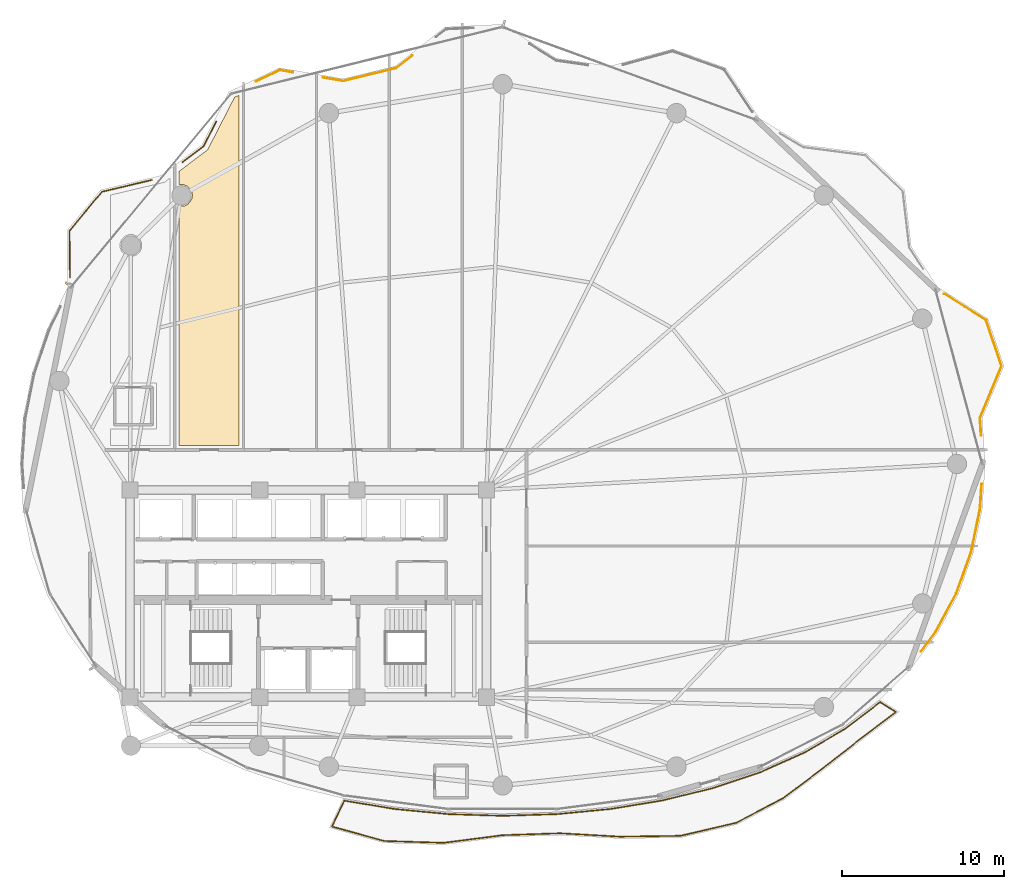
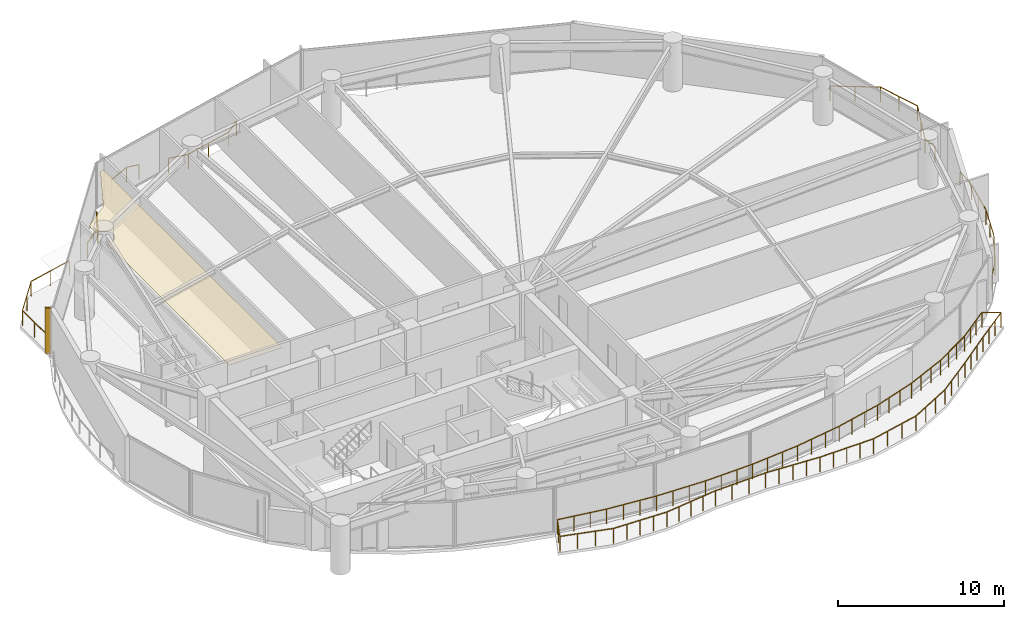
# One storey, part 27 of 28: 7 railings, 1 covering, 1 shading device.
"""IFC4 building model written with IfcOpenShell, lengths in metres."""

import ifcopenshell
import ifcopenshell.guid

model = None  # the IFC model being written
_history = None  # IfcOwnerHistory: only IFC2X3 demands one
_inside = {}  # id of a spatial element -> (the spatial element, [elements in it])
_under = {}  # id of a project, library or spatial element -> (it, [spatial elements below it])
_declared = {}  # id of a project -> (the project, [libraries it declares])
_typed = {}  # id of a type object -> (the type object, [elements of that type])
_made_of = {}  # id of a material, layer set ... -> (it, [elements and type objects made of it])


def new_model(schema):
    """Start an empty IFC model of exactly this schema.

    Asked for "IFC4X3", IfcOpenShell would pick the latest addendum, in which some entities
    have other attributes; the version numbers below select the first issue.
    IFC2X3 requires an IfcOwnerHistory on every rooted entity: one is made here for all.
    """
    global model, _history
    if schema == "IFC4X3":
        model = ifcopenshell.file(schema_version=(4, 3, 0, 0))
    else:
        model = ifcopenshell.file(schema=schema)
    _inside.clear()
    _under.clear()
    _declared.clear()
    _typed.clear()
    _made_of.clear()
    _history = None
    if model.schema == "IFC2X3":
        org = make("IfcOrganization", Name="unknown")
        user = make(
            "IfcPersonAndOrganization",
            ThePerson=make("IfcPerson", FamilyName="unknown"),
            TheOrganization=org,
        )
        app = make(
            "IfcApplication",
            ApplicationDeveloper=org,
            Version="unknown",
            ApplicationFullName="unknown",
            ApplicationIdentifier="unknown",
        )
        _history = make(
            "IfcOwnerHistory",
            OwningUser=user,
            OwningApplication=app,
            ChangeAction="ADDED",
            CreationDate=0,
        )
    return model


def make(cls, **values):
    """One entity of the class cls with the attributes given. An attribute that is None is left unset."""
    return model.create_entity(
        cls, **{name: value for name, value in values.items() if value is not None}
    )


def rooted(cls, **values):
    """An entity with a GlobalId (a new one), such as an element, a storey or a relation."""
    return make(cls, GlobalId=ifcopenshell.guid.new(), OwnerHistory=_history, **values)


def si_unit(unit_type, name, prefix=None):
    """IfcSIUnit, for example si_unit("LENGTHUNIT", "METRE", prefix="MILLI")."""
    return make("IfcSIUnit", UnitType=unit_type, Prefix=prefix, Name=name)


def assignment(units):
    """IfcUnitAssignment: the units of a project."""
    return None if units is None else make("IfcUnitAssignment", Units=units)


def point(xyz):
    """IfcCartesianPoint."""
    return None if xyz is None else make("IfcCartesianPoint", Coordinates=xyz)


def direction(xyz):
    """IfcDirection."""
    return None if xyz is None else make("IfcDirection", DirectionRatios=xyz)


def frame(location, z_axis=None, x_axis=None):
    """IfcAxis2Placement3D, a coordinate frame: its origin and axes. An axis left out is left unset."""
    return make(
        "IfcAxis2Placement3D",
        Location=point(location),
        Axis=direction(z_axis),
        RefDirection=direction(x_axis),
    )


def frame_2d(location, x_axis=None):
    """IfcAxis2Placement2D, a coordinate frame in the plane: its origin and x axis."""
    return make(
        "IfcAxis2Placement2D", Location=point(location), RefDirection=direction(x_axis)
    )


def origin():
    """The frame at (0, 0, 0) with its axes left unset."""
    return frame((0.0, 0.0, 0.0))


def origin_2d():
    """The frame at (0, 0) in the plane with its x axis left unset."""
    return frame_2d((0.0, 0.0))


def place(relative_to, where):
    """IfcLocalPlacement: puts the frame where relative to a parent placement (None: the world)."""
    return make(
        "IfcLocalPlacement", PlacementRelTo=relative_to, RelativePlacement=where
    )


def context(
    kind, dimensions, precision=None, world=None, true_north=None, identifier=None
):
    """IfcGeometricRepresentationContext, for example the 3D "Model" context."""
    return make(
        "IfcGeometricRepresentationContext",
        ContextIdentifier=identifier,
        ContextType=kind,
        CoordinateSpaceDimension=dimensions,
        Precision=precision,
        WorldCoordinateSystem=world,
        TrueNorth=true_north,
    )


def subcontext(parent, identifier, kind, view, scale=None):
    """IfcGeometricRepresentationSubContext, for example "Body" below "Model"."""
    return make(
        "IfcGeometricRepresentationSubContext",
        ContextIdentifier=identifier,
        ContextType=kind,
        ParentContext=parent,
        TargetScale=scale,
        TargetView=view,
    )


def project(units=None, contexts=None):
    """IfcProject with its units and contexts."""
    return rooted(
        "IfcProject",
        Name="project",
        RepresentationContexts=contexts,
        UnitsInContext=assignment(units),
    )


def spatial(cls, under=None, at=None, **own):
    """A site, building, storey or space (cls), placed at a placement, below another one or the project."""
    s = rooted(cls, ObjectPlacement=at, **own)
    if under is not None:
        _under.setdefault(under.id(), (under, []))[1].append(s)
    return s


def polyline(points):
    """IfcPolyline through the points."""
    return make("IfcPolyline", Points=[point(p) for p in points])


def profile(cls, at=None, kind="AREA", **sizes):
    """A parametric profile (cls). Its sizes go by their IFC names, for example OverallWidth=200.0."""
    return make(cls, ProfileType=kind, Position=at, **sizes)


def rectangle(**sizes):
    """IfcRectangleProfileDef."""
    return profile("IfcRectangleProfileDef", **sizes)


def outline(outer, holes=None, kind="AREA"):
    """IfcArbitraryClosedProfileDef: a profile drawn as a closed curve; with holes, ...WithVoids."""
    if holes is None:
        return make("IfcArbitraryClosedProfileDef", ProfileType=kind, OuterCurve=outer)
    return make(
        "IfcArbitraryProfileDefWithVoids",
        ProfileType=kind,
        OuterCurve=outer,
        InnerCurves=holes,
    )


def extrude(swept, where, along, depth):
    """IfcExtrudedAreaSolid: the profile swept, set in the frame where, extruded along a direction by depth."""
    return make(
        "IfcExtrudedAreaSolid",
        SweptArea=swept,
        Position=where,
        ExtrudedDirection=direction(along),
        Depth=depth,
    )


def shape(context_of_items, identifier, shape_type, items):
    """IfcShapeRepresentation: the items that make up one representation, for example the "Body"."""
    return make(
        "IfcShapeRepresentation",
        ContextOfItems=context_of_items,
        RepresentationIdentifier=identifier,
        RepresentationType=shape_type,
        Items=items,
    )


def material(Name=None, Category=None):
    """IfcMaterial."""
    return make("IfcMaterial", Name=Name, Category=Category)


def layer(
    of_material, thickness, ventilated=None, Name=None, Category=None, Priority=None
):
    """IfcMaterialLayer: one layer of a wall or slab, of a material (None: an air gap)."""
    return make(
        "IfcMaterialLayer",
        Material=of_material,
        LayerThickness=thickness,
        IsVentilated=ventilated,
        Name=Name,
        Category=Category,
        Priority=Priority,
    )


def layer_set(layers, Name=None):
    """IfcMaterialLayerSet."""
    return make("IfcMaterialLayerSet", MaterialLayers=layers, LayerSetName=Name)


def made_of(thing, what):
    """Note that an element or type object is made of a material, layer set ...; save() writes the relation."""
    if what is not None:
        _made_of.setdefault(what.id(), (what, []))[1].append(thing)
    return thing


def type_object(cls, material=None, **own):
    """A type object (cls), such as IfcWallType, which elements share."""
    return made_of(rooted(cls, **own), material)


def element(
    cls,
    number,
    at=None,
    inside=None,
    cuts=None,
    type_object=None,
    material=None,
    context=None,
    identifier="Body",
    shape_type=None,
    held_by="IfcProductDefinitionShape",
    body=None,
    shapes=None,
    **own,
):
    """One element of the class cls, such as IfcWall. Its Tag is "e" and its number.

    at: its placement. inside: the storey or other place that contains it. cuts: it is an
    opening in that element (IfcRelVoidsElement). A single representation is given by context,
    identifier, shape_type and body (its items); several are given by shapes. held_by: the class
    of the entity that holds the representations. save() writes the other relations.
    """
    e = rooted(cls, Tag="e%d" % number, ObjectPlacement=at, **own)
    if body is not None:
        shapes = [shape(context, identifier, shape_type, body)]
    if shapes is not None:
        e.Representation = make(held_by, Representations=shapes)
    if inside is not None:
        _inside.setdefault(inside.id(), (inside, []))[1].append(e)
    if cuts is not None:
        rooted(
            "IfcRelVoidsElement", RelatingBuildingElement=cuts, RelatedOpeningElement=e
        )
    if type_object is not None:
        _typed.setdefault(type_object.id(), (type_object, []))[1].append(e)
    return made_of(e, material)


def aggregate(whole, parts):
    """IfcRelAggregates: a whole, such as a stair, and the parts it consists of."""
    return rooted("IfcRelAggregates", RelatingObject=whole, RelatedObjects=parts)


def save(model, path):
    """Write the relations noted so far, then the file.

    IfcRelAggregates (storeys below a building ...), IfcRelContainedInSpatialStructure (elements
    in a storey), IfcRelDefinesByType, IfcRelAssociatesMaterial and IfcRelDeclares: one each for
    every whole, place, type object, material and project.
    """
    for whole, parts in _under.values():
        aggregate(whole, parts)
    for where, things in _inside.values():
        rooted(
            "IfcRelContainedInSpatialStructure",
            RelatedElements=things,
            RelatingStructure=where,
        )
    for kind, things in _typed.values():
        rooted("IfcRelDefinesByType", RelatedObjects=things, RelatingType=kind)
    for what, things in _made_of.values():
        rooted("IfcRelAssociatesMaterial", RelatedObjects=things, RelatingMaterial=what)
    for by, libraries in _declared.values():
        rooted("IfcRelDeclares", RelatingContext=by, RelatedDefinitions=libraries)
    model.write(path)


model = new_model("IFC4")

# Units and contexts
model_context = context("Model", 3, precision=1e-05, world=origin(), true_north=direction((0.0, 1.0)))
body_context = subcontext(model_context, "Body", "Model", "MODEL_VIEW")
ifc_project = project(units=[si_unit("LENGTHUNIT", "METRE"), si_unit("AREAUNIT", "SQUARE_METRE"), si_unit("VOLUMEUNIT", "CUBIC_METRE"), si_unit("PLANEANGLEUNIT", "RADIAN"), si_unit("MASSUNIT", "GRAM", prefix="KILO")], contexts=[model_context])

# Site, building, storey
site_placement = place(None, origin())
site = spatial("IfcSite", under=ifc_project, at=site_placement, CompositionType="ELEMENT")
building_placement = place(site_placement, origin())
building = spatial("IfcBuilding", under=site, at=building_placement, Name="Kazevale Care Tower and Concert Hall", CompositionType="ELEMENT")
storey_placement = place(building_placement, frame((0.0, 0.0, 102.60009765625)))
storey = spatial("IfcBuildingStorey", under=building, at=storey_placement, Name="L26", CompositionType="ELEMENT", Elevation=102.60009765625)

# Covering
ifc_material_1 = material(Name="Acoustic Plaster and Hinoki Wood", Category="wood")
ifc_layer = layer(ifc_material_1, 0.0400390625)
ifc_layer_set = layer_set([ifc_layer], Name="Acoustic Plaster and Hinoki Wood")
covering_type = type_object("IfcCoveringType", Name="Acoustic Perforated Wood-Gypsum Ceiling", PredefinedType="CEILING", material=ifc_layer_set)
covering_placement = place(storey_placement, frame((0.0, 0.0, 2.7099609375)))
element("IfcCovering", 1, at=covering_placement, inside=storey, type_object=covering_type, Name="clg:L26:2", PredefinedType="CEILING", context=body_context, shape_type="SweptSolid", body=[
    extrude(outline(polyline([(28.719970703125, 39.155029296875), (25.030029296875, 39.155029296875), (25.030029296875, 53.9150390625), (25.302978515625, 53.9130859375), (25.548095703125, 54.014892578125), (25.798095703125, 54.320068359375), (25.85009765625, 54.580078125), (25.798095703125, 54.840087890625), (25.548095703125, 55.14501953125), (25.302978515625, 55.2470703125), (25.030029296875, 55.2451171875), (25.030029296875, 56.074951171875), (26.781005859375, 57.39892578125), (28.446044921875, 60.638916015625), (28.719970703125, 60.76904296875), (28.719970703125, 39.155029296875)])), origin(), (0.0, 0.0, 1.0), 0.0400390625),
])

# Railings
ifc_material_2 = material(Name="Anodised Bronze Aluminium and Laminated Glass", Category="aluminium")
railing_type = type_object("IfcRailingType", Name="Balcony and Terrace Balustrade 1120", PredefinedType="BALUSTRADE", material=ifc_material_2)
railing_1_placement = place(storey_placement, frame((18.284912109375, 49.514892578125, 0.0)))
element("IfcRailing", 2, at=railing_1_placement, inside=storey, type_object=railing_type, Name="rail:L26:perim:2", PredefinedType="BALUSTRADE", context=body_context, shape_type="SweptSolid", body=[
    extrude(rectangle(XDim=0.048095703125, YDim=0.048095703125, at=origin_2d()), frame((0.0, 0.0, 1.09619140625), z_axis=(-0.009663022595, 0.999953311907, 0.0), x_axis=(-0.999953311907, -0.009663022595, 0.0)), (0.0, 0.0, 1.0), 2.88037109375),
    extrude(rectangle(XDim=0.048095703125, YDim=0.048095703125, at=origin_2d()), frame((-0.02783203125, 2.880126953125, 1.09619140625), z_axis=(0.638670809668, 0.769480082184, 0.0), x_axis=(-0.769480082184, 0.638670809668, 0.0)), (0.0, 0.0, 1.0), 3.128173828125),
    extrude(rectangle(XDim=0.048095703125, YDim=0.048095703125, at=origin_2d()), frame((1.969970703125, 5.287109375, 1.09619140625), z_axis=(0.972887880692, 0.231277261318, 0.0), x_axis=(-0.231277261318, 0.972887880692, 0.0)), (0.0, 0.0, 1.0), 3.173095703125),
    extrude(rectangle(XDim=0.0419921875, YDim=0.0419921875, at=origin_2d()), origin(), (0.0, 0.0, 1.0), 1.072021484375),
    extrude(rectangle(XDim=0.0419921875, YDim=0.0419921875, at=origin_2d()), frame((-0.013916015625, 1.43994140625, 0.0)), (0.0, 0.0, 1.0), 1.072021484375),
    extrude(rectangle(XDim=0.0419921875, YDim=0.0419921875, at=origin_2d()), frame((-0.02783203125, 2.880126953125, 0.0)), (0.0, 0.0, 1.0), 1.072021484375),
    extrude(rectangle(XDim=0.0419921875, YDim=0.0419921875, at=origin_2d()), frame((0.97119140625, 4.08349609375, 0.0)), (0.0, 0.0, 1.0), 1.072021484375),
    extrude(rectangle(XDim=0.0419921875, YDim=0.0419921875, at=origin_2d()), frame((1.969970703125, 5.287109375, 0.0)), (0.0, 0.0, 1.0), 1.072021484375),
    extrude(rectangle(XDim=0.0419921875, YDim=0.0419921875, at=origin_2d()), frame((3.513671875, 5.654052734375, 0.0)), (0.0, 0.0, 1.0), 1.072021484375),
    extrude(rectangle(XDim=0.0419921875, YDim=0.0419921875, at=origin_2d()), frame((5.05712890625, 6.02099609375, 0.0)), (0.0, 0.0, 1.0), 1.072021484375),
])
railing_2_placement = place(storey_placement, frame((25.239013671875, 56.634033203125, 0.0)))
element("IfcRailing", 3, at=railing_2_placement, inside=storey, type_object=railing_type, Name="rail:L26:perim:3", PredefinedType="BALUSTRADE", context=body_context, shape_type="SweptSolid", body=[
    extrude(rectangle(XDim=0.048095703125, YDim=0.048095703125, at=origin_2d()), frame((0.0, 0.0, 1.09619140625), z_axis=(0.797677030582, 0.603084865406, 0.0), x_axis=(-0.603084865406, 0.797677030582, 0.0)), (0.0, 0.0, 1.0), 1.618408203125),
    extrude(rectangle(XDim=0.048095703125, YDim=0.048095703125, at=origin_2d()), frame((1.291015625, 0.97607421875, 1.09619140625), z_axis=(0.456653164706, 0.889644809553, 0.0), x_axis=(-0.889644809553, 0.456653164706, 0.0)), (0.0, 0.0, 1.0), 1.72314453125),
    extrude(rectangle(XDim=0.0419921875, YDim=0.0419921875, at=origin_2d()), origin(), (0.0, 0.0, 1.0), 1.072021484375),
    extrude(rectangle(XDim=0.0419921875, YDim=0.0419921875, at=origin_2d()), frame((1.291015625, 0.97607421875, 0.0)), (0.0, 0.0, 1.0), 1.072021484375),
    extrude(rectangle(XDim=0.0419921875, YDim=0.0419921875, at=origin_2d()), frame((2.077880859375, 2.509033203125, 0.0)), (0.0, 0.0, 1.0), 1.072021484375),
])
railing_3_placement = place(storey_placement, frame((29.77392578125, 61.62109375, 0.0)))
element("IfcRailing", 4, at=railing_3_placement, inside=storey, type_object=railing_type, Name="rail:L26:perim:4", PredefinedType="BALUSTRADE", context=body_context, shape_type="SweptSolid", body=[
    extrude(rectangle(XDim=0.048095703125, YDim=0.048095703125, at=origin_2d()), frame((0.0, 0.0, 1.09619140625), z_axis=(0.904089143641, 0.427343913436, 0.0), x_axis=(-0.427343913436, 0.904089143641, 0.0)), (0.0, 0.0, 1.0), 1.6259765625),
    extrude(rectangle(XDim=0.048095703125, YDim=0.048095703125, at=origin_2d()), frame((1.469970703125, 0.69482421875, 1.09619140625), z_axis=(0.985522864431, -0.169542571894, 0.0), x_axis=(0.169542571894, 0.985522864431, 0.0)), (0.0, 0.0, 1.0), 0.807861328125),
    extrude(rectangle(XDim=0.0419921875, YDim=0.0419921875, at=origin_2d()), origin(), (0.0, 0.0, 1.0), 1.072021484375),
    extrude(rectangle(XDim=0.0419921875, YDim=0.0419921875, at=origin_2d()), frame((1.469970703125, 0.69482421875, 0.0)), (0.0, 0.0, 1.0), 1.072021484375),
    extrude(rectangle(XDim=0.0419921875, YDim=0.0419921875, at=origin_2d()), frame((2.26611328125, 0.557861328125, 0.0)), (0.0, 0.0, 1.0), 1.072021484375),
])
railing_4_placement = place(storey_placement, frame((33.9130859375, 61.85791015625, 0.0)))
element("IfcRailing", 5, at=railing_4_placement, inside=storey, type_object=railing_type, Name="rail:L26:perim:5", PredefinedType="BALUSTRADE", context=body_context, shape_type="SweptSolid", body=[
    extrude(rectangle(XDim=0.048095703125, YDim=0.048095703125, at=origin_2d()), frame((0.0, 0.0, 1.09619140625), z_axis=(0.98554889076, -0.169391215599, 0.0), x_axis=(0.169391215599, 0.98554889076, 0.0)), (0.0, 0.0, 1.0), 1.268310546875),
    extrude(rectangle(XDim=0.048095703125, YDim=0.048095703125, at=origin_2d()), frame((1.25, -0.21484375, 1.09619140625), z_axis=(0.971597725557, 0.236638669056, 0.0), x_axis=(-0.236638669056, 0.971597725557, 0.0)), (0.0, 0.0, 1.0), 3.36328125),
    extrude(rectangle(XDim=0.048095703125, YDim=0.048095703125, at=origin_2d()), frame((4.517822265625, 0.5810546875, 1.09619140625), z_axis=(0.787242218243, 0.616643892224, 0.0), x_axis=(-0.616643892224, 0.787242218243, 0.0)), (0.0, 0.0, 1.0), 1.255126953125),
    extrude(rectangle(XDim=0.0419921875, YDim=0.0419921875, at=origin_2d()), origin(), (0.0, 0.0, 1.0), 1.072021484375),
    extrude(rectangle(XDim=0.0419921875, YDim=0.0419921875, at=origin_2d()), frame((1.25, -0.21484375, 0.0)), (0.0, 0.0, 1.0), 1.072021484375),
    extrude(rectangle(XDim=0.0419921875, YDim=0.0419921875, at=origin_2d()), frame((2.8837890625, 0.18310546875, 0.0)), (0.0, 0.0, 1.0), 1.072021484375),
    extrude(rectangle(XDim=0.0419921875, YDim=0.0419921875, at=origin_2d()), frame((4.517822265625, 0.5810546875, 0.0)), (0.0, 0.0, 1.0), 1.072021484375),
    extrude(rectangle(XDim=0.0419921875, YDim=0.0419921875, at=origin_2d()), frame((5.505859375, 1.35498046875, 0.0)), (0.0, 0.0, 1.0), 1.072021484375),
])
railing_5_placement = place(storey_placement, frame((74.576904296875, 36.76611328125, 0.0)))
element("IfcRailing", 6, at=railing_5_placement, inside=storey, type_object=railing_type, Name="rail:L26:perim:10", PredefinedType="BALUSTRADE", context=body_context, shape_type="SweptSolid", body=[
    extrude(rectangle(XDim=0.048095703125, YDim=0.048095703125, at=origin_2d()), frame((0.0, 0.0, 1.09619140625), z_axis=(-0.066164353261, -0.997808738365, 0.0), x_axis=(0.997808738365, -0.066164353261, 0.0)), (0.0, 0.0, 1.0), 1.553466796875),
    extrude(rectangle(XDim=0.048095703125, YDim=0.048095703125, at=origin_2d()), frame((-0.102783203125, -1.550048828125, 1.09619140625), z_axis=(-0.202611486218, -0.979259202485, 0.0), x_axis=(0.979259202485, -0.202611486218, 0.0)), (0.0, 0.0, 1.0), 2.744873046875),
    extrude(rectangle(XDim=0.048095703125, YDim=0.048095703125, at=origin_2d()), frame((-0.658935546875, -4.238037109375, 1.09619140625), z_axis=(-0.339653342944, -0.940550693279, 0.0), x_axis=(0.940550693279, -0.339653342944, 0.0)), (0.0, 0.0, 1.0), 2.70263671875),
    extrude(rectangle(XDim=0.048095703125, YDim=0.048095703125, at=origin_2d()), frame((-1.576904296875, -6.780029296875, 1.09619140625), z_axis=(-0.473735648305, -0.880667096879, 0.0), x_axis=(0.880667096879, -0.473735648305, 0.0)), (0.0, 0.0, 1.0), 2.6787109375),
    extrude(rectangle(XDim=0.048095703125, YDim=0.048095703125, at=origin_2d()), frame((-2.845947265625, -9.13916015625, 1.09619140625), z_axis=(-0.597990687273, -0.801503049236, 0.0), x_axis=(0.801503049236, -0.597990687273, 0.0)), (0.0, 0.0, 1.0), 1.498291015625),
    extrude(rectangle(XDim=0.0419921875, YDim=0.0419921875, at=origin_2d()), origin(), (0.0, 0.0, 1.0), 1.072021484375),
    extrude(rectangle(XDim=0.0419921875, YDim=0.0419921875, at=origin_2d()), frame((-0.102783203125, -1.550048828125, 0.0)), (0.0, 0.0, 1.0), 1.072021484375),
    extrude(rectangle(XDim=0.0419921875, YDim=0.0419921875, at=origin_2d()), frame((-0.380859375, -2.89404296875, 0.0)), (0.0, 0.0, 1.0), 1.072021484375),
    extrude(rectangle(XDim=0.0419921875, YDim=0.0419921875, at=origin_2d()), frame((-0.658935546875, -4.238037109375, 0.0)), (0.0, 0.0, 1.0), 1.072021484375),
    extrude(rectangle(XDim=0.0419921875, YDim=0.0419921875, at=origin_2d()), frame((-1.117919921875, -5.509033203125, 0.0)), (0.0, 0.0, 1.0), 1.072021484375),
    extrude(rectangle(XDim=0.0419921875, YDim=0.0419921875, at=origin_2d()), frame((-1.576904296875, -6.780029296875, 0.0)), (0.0, 0.0, 1.0), 1.072021484375),
    extrude(rectangle(XDim=0.0419921875, YDim=0.0419921875, at=origin_2d()), frame((-2.21142578125, -7.95947265625, 0.0)), (0.0, 0.0, 1.0), 1.072021484375),
    extrude(rectangle(XDim=0.0419921875, YDim=0.0419921875, at=origin_2d()), frame((-2.845947265625, -9.13916015625, 0.0)), (0.0, 0.0, 1.0), 1.072021484375),
    extrude(rectangle(XDim=0.0419921875, YDim=0.0419921875, at=origin_2d()), frame((-3.741943359375, -10.340087890625, 0.0)), (0.0, 0.0, 1.0), 1.072021484375),
])
railing_6_placement = place(storey_placement, frame((72.26904296875, 48.50390625, 0.0)))
element("IfcRailing", 7, at=railing_6_placement, inside=storey, type_object=railing_type, Name="rail:L26:perim:11", PredefinedType="BALUSTRADE", context=body_context, shape_type="SweptSolid", body=[
    extrude(rectangle(XDim=0.048095703125, YDim=0.048095703125, at=origin_2d()), frame((0.0, 0.0, 1.09619140625), z_axis=(0.845853460202, -0.533415338985, 0.0), x_axis=(0.533415338985, 0.845853460202, 0.0)), (0.0, 0.0, 1.0), 3.0537109375),
    extrude(rectangle(XDim=0.048095703125, YDim=0.048095703125, at=origin_2d()), frame((2.5830078125, -1.62890625, 1.09619140625), z_axis=(0.319318641442, -0.94764740554, 0.0), x_axis=(0.94764740554, 0.319318641442, 0.0)), (0.0, 0.0, 1.0), 2.984130859375),
    extrude(rectangle(XDim=0.048095703125, YDim=0.048095703125, at=origin_2d()), frame((3.535888671875, -4.456787109375, 1.09619140625), z_axis=(-0.384555415187, -0.923101908052, 0.0), x_axis=(0.923101908052, -0.384555415187, 0.0)), (0.0, 0.0, 1.0), 3.468994140625),
    extrude(rectangle(XDim=0.048095703125, YDim=0.048095703125, at=origin_2d()), frame((2.201904296875, -7.658935546875, 1.09619140625), z_axis=(0.06569131841, -0.997839992527, 0.0), x_axis=(0.997839992527, 0.06569131841, 0.0)), (0.0, 0.0, 1.0), 1.096435546875),
    extrude(rectangle(XDim=0.0419921875, YDim=0.0419921875, at=origin_2d()), origin(), (0.0, 0.0, 1.0), 1.072021484375),
    extrude(rectangle(XDim=0.0419921875, YDim=0.0419921875, at=origin_2d()), frame((1.29150390625, -0.814453125, 0.0)), (0.0, 0.0, 1.0), 1.072021484375),
    extrude(rectangle(XDim=0.0419921875, YDim=0.0419921875, at=origin_2d()), frame((2.5830078125, -1.62890625, 0.0)), (0.0, 0.0, 1.0), 1.072021484375),
    extrude(rectangle(XDim=0.0419921875, YDim=0.0419921875, at=origin_2d()), frame((3.0595703125, -3.04296875, 0.0)), (0.0, 0.0, 1.0), 1.072021484375),
    extrude(rectangle(XDim=0.0419921875, YDim=0.0419921875, at=origin_2d()), frame((3.535888671875, -4.456787109375, 0.0)), (0.0, 0.0, 1.0), 1.072021484375),
    extrude(rectangle(XDim=0.0419921875, YDim=0.0419921875, at=origin_2d()), frame((2.868896484375, -6.057861328125, 0.0)), (0.0, 0.0, 1.0), 1.072021484375),
    extrude(rectangle(XDim=0.0419921875, YDim=0.0419921875, at=origin_2d()), frame((2.201904296875, -7.658935546875, 0.0)), (0.0, 0.0, 1.0), 1.072021484375),
    extrude(rectangle(XDim=0.0419921875, YDim=0.0419921875, at=origin_2d()), frame((2.27392578125, -8.7529296875, 0.0)), (0.0, 0.0, 1.0), 1.072021484375),
])
railing_7_placement = place(storey_placement, frame((35.22509765625, 17.2099609375, 0.0)))
element("IfcRailing", 8, at=railing_7_placement, inside=storey, type_object=railing_type, Name="rail:L26:balcony", PredefinedType="BALUSTRADE", context=body_context, shape_type="SweptSolid", body=[
    extrude(rectangle(XDim=0.048095703125, YDim=0.048095703125, at=origin_2d()), frame((0.0, 0.0, 1.09619140625), z_axis=(0.986720826515, -0.162425399869, 0.0), x_axis=(0.162425399869, 0.986720826515, 0.0)), (0.0, 0.0, 1.0), 3.169921875),
    extrude(rectangle(XDim=0.048095703125, YDim=0.048095703125, at=origin_2d()), frame((3.1279296875, -0.514892578125, 1.09619140625), z_axis=(0.995477928413, -0.09499312629, 0.0), x_axis=(0.09499312629, 0.995477928413, 0.0)), (0.0, 0.0, 1.0), 3.31787109375),
    extrude(rectangle(XDim=0.048095703125, YDim=0.048095703125, at=origin_2d()), frame((6.430908203125, -0.830078125, 1.09619140625), z_axis=(0.999507580629, -0.031378276971, 0.0), x_axis=(0.031378276971, 0.999507580629, 0.0)), (0.0, 0.0, 1.0), 3.345703125),
    extrude(rectangle(XDim=0.048095703125, YDim=0.048095703125, at=origin_2d()), frame((9.77490234375, -0.93505859375, 1.09619140625), z_axis=(0.999507580629, 0.031378276971, 0.0), x_axis=(-0.031378276971, 0.999507580629, 0.0)), (0.0, 0.0, 1.0), 3.345703125),
    extrude(rectangle(XDim=0.048095703125, YDim=0.048095703125, at=origin_2d()), frame((13.118896484375, -0.830078125, 1.09619140625), z_axis=(0.995477928413, 0.09499312629, 0.0), x_axis=(-0.09499312629, 0.995477928413, 0.0)), (0.0, 0.0, 1.0), 3.31787109375),
    extrude(rectangle(XDim=0.048095703125, YDim=0.048095703125, at=origin_2d()), frame((16.421875, -0.514892578125, 1.09619140625), z_axis=(0.986673526711, 0.162712481659, 0.0), x_axis=(-0.162712481659, 0.986673526711, 0.0)), (0.0, 0.0, 1.0), 3.263427734375),
    extrude(rectangle(XDim=0.048095703125, YDim=0.048095703125, at=origin_2d()), frame((19.641845703125, 0.01611328125, 1.09619140625), z_axis=(0.971769261323, 0.235933259095, 0.0), x_axis=(-0.235933259095, 0.971769261323, 0.0)), (0.0, 0.0, 1.0), 3.187255859375),
    extrude(rectangle(XDim=0.048095703125, YDim=0.048095703125, at=origin_2d()), frame((22.739013671875, 0.76806640625, 1.09619140625), z_axis=(0.948264523365, 0.317481328155, 0.0), x_axis=(-0.317481328155, 0.948264523365, 0.0)), (0.0, 0.0, 1.0), 3.095947265625),
    extrude(rectangle(XDim=0.048095703125, YDim=0.048095703125, at=origin_2d()), frame((25.6748046875, 1.7509765625, 1.09619140625), z_axis=(0.913377633239, 0.407113373766, 0.0), x_axis=(-0.407113373766, 0.913377633239, 0.0)), (0.0, 0.0, 1.0), 2.99658203125),
    extrude(rectangle(XDim=0.048095703125, YDim=0.048095703125, at=origin_2d()), frame((28.411865234375, 2.970947265625, 1.09619140625), z_axis=(0.863507127078, 0.504336635082, 0.0), x_axis=(-0.504336635082, 0.863507127078, 0.0)), (0.0, 0.0, 1.0), 2.901123046875),
    extrude(rectangle(XDim=0.048095703125, YDim=0.048095703125, at=origin_2d()), frame((30.9169921875, 4.43408203125, 1.09619140625), z_axis=(0.795030778338, 0.606569090455, 0.0), x_axis=(-0.606569090455, 0.795030778338, 0.0)), (0.0, 0.0, 1.0), 2.726806640625),
    extrude(rectangle(XDim=0.048095703125, YDim=0.048095703125, at=origin_2d()), frame((33.0849609375, 6.088134765625, 1.09619140625), z_axis=(0.848022017286, -0.529960996865, 0.0), x_axis=(0.529960996865, 0.848022017286, 0.0)), (0.0, 0.0, 1.0), 1.15673828125),
    extrude(rectangle(XDim=0.048095703125, YDim=0.048095703125, at=origin_2d()), frame((34.06591796875, 5.47509765625, 1.09619140625), z_axis=(-0.798255366779, -0.602319159091, 0.0), x_axis=(0.602319159091, -0.798255366779, 0.0)), (0.0, 0.0, 1.0), 2.776123046875),
    extrude(rectangle(XDim=0.048095703125, YDim=0.048095703125, at=origin_2d()), frame((31.849853515625, 3.802978515625, 1.09619140625), z_axis=(-0.787312551065, -0.616554090843, 0.0), x_axis=(0.616554090843, -0.787312551065, 0.0)), (0.0, 0.0, 1.0), 2.9453125),
    extrude(rectangle(XDim=0.048095703125, YDim=0.048095703125, at=origin_2d()), frame((29.531005859375, 1.987060546875, 1.09619140625), z_axis=(-0.799587512575, -0.600549589738, 0.0), x_axis=(0.600549589738, -0.799587512575, 0.0)), (0.0, 0.0, 1.0), 3.055419921875),
    extrude(rectangle(XDim=0.048095703125, YDim=0.048095703125, at=origin_2d()), frame((27.087890625, 0.152099609375, 1.09619140625), z_axis=(-0.885469496448, -0.464697504685, 0.0), x_axis=(0.464697504685, -0.885469496448, 0.0)), (0.0, 0.0, 1.0), 3.2626953125),
    extrude(rectangle(XDim=0.048095703125, YDim=0.048095703125, at=origin_2d()), frame((24.198974609375, -1.364013671875, 1.09619140625), z_axis=(-0.973763163126, -0.227563841897, 0.0), x_axis=(0.227563841897, -0.973763163126, 0.0)), (0.0, 0.0, 1.0), 3.532958984375),
    extrude(rectangle(XDim=0.048095703125, YDim=0.048095703125, at=origin_2d()), frame((20.7587890625, -2.16796875, 1.09619140625), z_axis=(-0.999895953869, -0.014425028122, 0.0), x_axis=(0.014425028122, -0.999895953869, 0.0)), (0.0, 0.0, 1.0), 3.740478515625),
    extrude(rectangle(XDim=0.048095703125, YDim=0.048095703125, at=origin_2d()), frame((17.018798828125, -2.221923828125, 1.09619140625), z_axis=(-0.998380578852, 0.056887782271, 0.0), x_axis=(-0.056887782271, -0.998380578852, 0.0)), (0.0, 0.0, 1.0), 3.690673828125),
    extrude(rectangle(XDim=0.048095703125, YDim=0.048095703125, at=origin_2d()), frame((13.333984375, -2.011962890625, 1.09619140625), z_axis=(-0.999454652209, -0.033021177715, 0.0), x_axis=(0.033021177715, -0.999454652209, 0.0)), (0.0, 0.0, 1.0), 3.571044921875),
    extrude(rectangle(XDim=0.048095703125, YDim=0.048095703125, at=origin_2d()), frame((9.764892578125, -2.1298828125, 1.09619140625), z_axis=(-0.991714107264, -0.128464506594, 0.0), x_axis=(0.128464506594, -0.991714107264, 0.0)), (0.0, 0.0, 1.0), 3.675537109375),
    extrude(rectangle(XDim=0.048095703125, YDim=0.048095703125, at=origin_2d()), frame((6.119873046875, -2.60205078125, 1.09619140625), z_axis=(-0.99952128946, 0.030938518319, 0.0), x_axis=(-0.030938518319, -0.99952128946, 0.0)), (0.0, 0.0, 1.0), 3.653564453125),
    extrude(rectangle(XDim=0.048095703125, YDim=0.048095703125, at=origin_2d()), frame((2.468017578125, -2.489013671875, 1.09619140625), z_axis=(-0.963890759305, 0.266297961175, 0.0), x_axis=(-0.266297961175, -0.963890759305, 0.0)), (0.0, 0.0, 1.0), 3.349853515625),
    extrude(rectangle(XDim=0.048095703125, YDim=0.048095703125, at=origin_2d()), frame((-0.760986328125, -1.596923828125, 1.09619140625), z_axis=(0.430185353805, 0.902740583651, 0.0), x_axis=(-0.902740583651, 0.430185353805, 0.0)), (0.0, 0.0, 1.0), 1.76904296875),
    extrude(rectangle(XDim=0.0419921875, YDim=0.0419921875, at=origin_2d()), origin(), (0.0, 0.0, 1.0), 1.072021484375),
    extrude(rectangle(XDim=0.0419921875, YDim=0.0419921875, at=origin_2d()), frame((1.042724609375, -0.171630859375, 0.0)), (0.0, 0.0, 1.0), 1.072021484375),
    extrude(rectangle(XDim=0.0419921875, YDim=0.0419921875, at=origin_2d()), frame((2.085205078125, -0.34326171875, 0.0)), (0.0, 0.0, 1.0), 1.072021484375),
    extrude(rectangle(XDim=0.0419921875, YDim=0.0419921875, at=origin_2d()), frame((3.1279296875, -0.514892578125, 0.0)), (0.0, 0.0, 1.0), 1.072021484375),
    extrude(rectangle(XDim=0.0419921875, YDim=0.0419921875, at=origin_2d()), frame((4.22900390625, -0.619873046875, 0.0)), (0.0, 0.0, 1.0), 1.072021484375),
    extrude(rectangle(XDim=0.0419921875, YDim=0.0419921875, at=origin_2d()), frame((5.329833984375, -0.72509765625, 0.0)), (0.0, 0.0, 1.0), 1.072021484375),
    extrude(rectangle(XDim=0.0419921875, YDim=0.0419921875, at=origin_2d()), frame((6.430908203125, -0.830078125, 0.0)), (0.0, 0.0, 1.0), 1.072021484375),
    extrude(rectangle(XDim=0.0419921875, YDim=0.0419921875, at=origin_2d()), frame((7.545654296875, -0.864990234375, 0.0)), (0.0, 0.0, 1.0), 1.072021484375),
    extrude(rectangle(XDim=0.0419921875, YDim=0.0419921875, at=origin_2d()), frame((8.66015625, -0.900146484375, 0.0)), (0.0, 0.0, 1.0), 1.072021484375),
    extrude(rectangle(XDim=0.0419921875, YDim=0.0419921875, at=origin_2d()), frame((9.77490234375, -0.93505859375, 0.0)), (0.0, 0.0, 1.0), 1.072021484375),
    extrude(rectangle(XDim=0.0419921875, YDim=0.0419921875, at=origin_2d()), frame((10.8896484375, -0.900146484375, 0.0)), (0.0, 0.0, 1.0), 1.072021484375),
    extrude(rectangle(XDim=0.0419921875, YDim=0.0419921875, at=origin_2d()), frame((12.004150390625, -0.864990234375, 0.0)), (0.0, 0.0, 1.0), 1.072021484375),
    extrude(rectangle(XDim=0.0419921875, YDim=0.0419921875, at=origin_2d()), frame((13.118896484375, -0.830078125, 0.0)), (0.0, 0.0, 1.0), 1.072021484375),
    extrude(rectangle(XDim=0.0419921875, YDim=0.0419921875, at=origin_2d()), frame((14.219970703125, -0.72509765625, 0.0)), (0.0, 0.0, 1.0), 1.072021484375),
    extrude(rectangle(XDim=0.0419921875, YDim=0.0419921875, at=origin_2d()), frame((15.32080078125, -0.619873046875, 0.0)), (0.0, 0.0, 1.0), 1.072021484375),
    extrude(rectangle(XDim=0.0419921875, YDim=0.0419921875, at=origin_2d()), frame((16.421875, -0.514892578125, 0.0)), (0.0, 0.0, 1.0), 1.072021484375),
    extrude(rectangle(XDim=0.0419921875, YDim=0.0419921875, at=origin_2d()), frame((17.4951171875, -0.337890625, 0.0)), (0.0, 0.0, 1.0), 1.072021484375),
    extrude(rectangle(XDim=0.0419921875, YDim=0.0419921875, at=origin_2d()), frame((18.568603515625, -0.160888671875, 0.0)), (0.0, 0.0, 1.0), 1.072021484375),
    extrude(rectangle(XDim=0.0419921875, YDim=0.0419921875, at=origin_2d()), frame((19.641845703125, 0.01611328125, 0.0)), (0.0, 0.0, 1.0), 1.072021484375),
    extrude(rectangle(XDim=0.0419921875, YDim=0.0419921875, at=origin_2d()), frame((20.67431640625, 0.266845703125, 0.0)), (0.0, 0.0, 1.0), 1.072021484375),
    extrude(rectangle(XDim=0.0419921875, YDim=0.0419921875, at=origin_2d()), frame((21.70654296875, 0.517333984375, 0.0)), (0.0, 0.0, 1.0), 1.072021484375),
    extrude(rectangle(XDim=0.0419921875, YDim=0.0419921875, at=origin_2d()), frame((22.739013671875, 0.76806640625, 0.0)), (0.0, 0.0, 1.0), 1.072021484375),
    extrude(rectangle(XDim=0.0419921875, YDim=0.0419921875, at=origin_2d()), frame((23.717529296875, 1.095703125, 0.0)), (0.0, 0.0, 1.0), 1.072021484375),
    extrude(rectangle(XDim=0.0419921875, YDim=0.0419921875, at=origin_2d()), frame((24.6962890625, 1.42333984375, 0.0)), (0.0, 0.0, 1.0), 1.072021484375),
    extrude(rectangle(XDim=0.0419921875, YDim=0.0419921875, at=origin_2d()), frame((25.6748046875, 1.7509765625, 0.0)), (0.0, 0.0, 1.0), 1.072021484375),
    extrude(rectangle(XDim=0.0419921875, YDim=0.0419921875, at=origin_2d()), frame((26.587158203125, 2.15771484375, 0.0)), (0.0, 0.0, 1.0), 1.072021484375),
    extrude(rectangle(XDim=0.0419921875, YDim=0.0419921875, at=origin_2d()), frame((27.49951171875, 2.564208984375, 0.0)), (0.0, 0.0, 1.0), 1.072021484375),
    extrude(rectangle(XDim=0.0419921875, YDim=0.0419921875, at=origin_2d()), frame((28.411865234375, 2.970947265625, 0.0)), (0.0, 0.0, 1.0), 1.072021484375),
    extrude(rectangle(XDim=0.0419921875, YDim=0.0419921875, at=origin_2d()), frame((29.246826171875, 3.458740234375, 0.0)), (0.0, 0.0, 1.0), 1.072021484375),
    extrude(rectangle(XDim=0.0419921875, YDim=0.0419921875, at=origin_2d()), frame((30.08203125, 3.9462890625, 0.0)), (0.0, 0.0, 1.0), 1.072021484375),
    extrude(rectangle(XDim=0.0419921875, YDim=0.0419921875, at=origin_2d()), frame((30.9169921875, 4.43408203125, 0.0)), (0.0, 0.0, 1.0), 1.072021484375),
    extrude(rectangle(XDim=0.0419921875, YDim=0.0419921875, at=origin_2d()), frame((31.6396484375, 4.9853515625, 0.0)), (0.0, 0.0, 1.0), 1.072021484375),
    extrude(rectangle(XDim=0.0419921875, YDim=0.0419921875, at=origin_2d()), frame((32.3623046875, 5.536865234375, 0.0)), (0.0, 0.0, 1.0), 1.072021484375),
    extrude(rectangle(XDim=0.0419921875, YDim=0.0419921875, at=origin_2d()), frame((33.0849609375, 6.088134765625, 0.0)), (0.0, 0.0, 1.0), 1.072021484375),
    extrude(rectangle(XDim=0.0419921875, YDim=0.0419921875, at=origin_2d()), frame((34.06591796875, 5.47509765625, 0.0)), (0.0, 0.0, 1.0), 1.072021484375),
    extrude(rectangle(XDim=0.0419921875, YDim=0.0419921875, at=origin_2d()), frame((33.3271484375, 4.917724609375, 0.0)), (0.0, 0.0, 1.0), 1.072021484375),
    extrude(rectangle(XDim=0.0419921875, YDim=0.0419921875, at=origin_2d()), frame((32.588623046875, 4.3603515625, 0.0)), (0.0, 0.0, 1.0), 1.072021484375),
    extrude(rectangle(XDim=0.0419921875, YDim=0.0419921875, at=origin_2d()), frame((31.849853515625, 3.802978515625, 0.0)), (0.0, 0.0, 1.0), 1.072021484375),
    extrude(rectangle(XDim=0.0419921875, YDim=0.0419921875, at=origin_2d()), frame((31.076904296875, 3.19775390625, 0.0)), (0.0, 0.0, 1.0), 1.072021484375),
    extrude(rectangle(XDim=0.0419921875, YDim=0.0419921875, at=origin_2d()), frame((30.303955078125, 2.59228515625, 0.0)), (0.0, 0.0, 1.0), 1.072021484375),
    extrude(rectangle(XDim=0.0419921875, YDim=0.0419921875, at=origin_2d()), frame((29.531005859375, 1.987060546875, 0.0)), (0.0, 0.0, 1.0), 1.072021484375),
    extrude(rectangle(XDim=0.0419921875, YDim=0.0419921875, at=origin_2d()), frame((28.716552734375, 1.37548828125, 0.0)), (0.0, 0.0, 1.0), 1.072021484375),
    extrude(rectangle(XDim=0.0419921875, YDim=0.0419921875, at=origin_2d()), frame((27.90234375, 0.763671875, 0.0)), (0.0, 0.0, 1.0), 1.072021484375),
    extrude(rectangle(XDim=0.0419921875, YDim=0.0419921875, at=origin_2d()), frame((27.087890625, 0.152099609375, 0.0)), (0.0, 0.0, 1.0), 1.072021484375),
    extrude(rectangle(XDim=0.0419921875, YDim=0.0419921875, at=origin_2d()), frame((26.125, -0.353271484375, 0.0)), (0.0, 0.0, 1.0), 1.072021484375),
    extrude(rectangle(XDim=0.0419921875, YDim=0.0419921875, at=origin_2d()), frame((25.161865234375, -0.858642578125, 0.0)), (0.0, 0.0, 1.0), 1.072021484375),
    extrude(rectangle(XDim=0.0419921875, YDim=0.0419921875, at=origin_2d()), frame((24.198974609375, -1.364013671875, 0.0)), (0.0, 0.0, 1.0), 1.072021484375),
    extrude(rectangle(XDim=0.0419921875, YDim=0.0419921875, at=origin_2d()), frame((23.05224609375, -1.632080078125, 0.0)), (0.0, 0.0, 1.0), 1.072021484375),
    extrude(rectangle(XDim=0.0419921875, YDim=0.0419921875, at=origin_2d()), frame((21.905517578125, -1.89990234375, 0.0)), (0.0, 0.0, 1.0), 1.072021484375),
    extrude(rectangle(XDim=0.0419921875, YDim=0.0419921875, at=origin_2d()), frame((20.7587890625, -2.16796875, 0.0)), (0.0, 0.0, 1.0), 1.072021484375),
    extrude(rectangle(XDim=0.0419921875, YDim=0.0419921875, at=origin_2d()), frame((19.82373046875, -2.181396484375, 0.0)), (0.0, 0.0, 1.0), 1.072021484375),
    extrude(rectangle(XDim=0.0419921875, YDim=0.0419921875, at=origin_2d()), frame((18.888671875, -2.19482421875, 0.0)), (0.0, 0.0, 1.0), 1.072021484375),
    extrude(rectangle(XDim=0.0419921875, YDim=0.0419921875, at=origin_2d()), frame((17.953857421875, -2.20849609375, 0.0)), (0.0, 0.0, 1.0), 1.072021484375),
    extrude(rectangle(XDim=0.0419921875, YDim=0.0419921875, at=origin_2d()), frame((17.018798828125, -2.221923828125, 0.0)), (0.0, 0.0, 1.0), 1.072021484375),
    extrude(rectangle(XDim=0.0419921875, YDim=0.0419921875, at=origin_2d()), frame((16.09765625, -2.16943359375, 0.0)), (0.0, 0.0, 1.0), 1.072021484375),
    extrude(rectangle(XDim=0.0419921875, YDim=0.0419921875, at=origin_2d()), frame((15.17626953125, -2.116943359375, 0.0)), (0.0, 0.0, 1.0), 1.072021484375),
    extrude(rectangle(XDim=0.0419921875, YDim=0.0419921875, at=origin_2d()), frame((14.255126953125, -2.064453125, 0.0)), (0.0, 0.0, 1.0), 1.072021484375),
    extrude(rectangle(XDim=0.0419921875, YDim=0.0419921875, at=origin_2d()), frame((13.333984375, -2.011962890625, 0.0)), (0.0, 0.0, 1.0), 1.072021484375),
    extrude(rectangle(XDim=0.0419921875, YDim=0.0419921875, at=origin_2d()), frame((12.144287109375, -2.05126953125, 0.0)), (0.0, 0.0, 1.0), 1.072021484375),
    extrude(rectangle(XDim=0.0419921875, YDim=0.0419921875, at=origin_2d()), frame((10.95458984375, -2.090576171875, 0.0)), (0.0, 0.0, 1.0), 1.072021484375),
    extrude(rectangle(XDim=0.0419921875, YDim=0.0419921875, at=origin_2d()), frame((9.764892578125, -2.1298828125, 0.0)), (0.0, 0.0, 1.0), 1.072021484375),
    extrude(rectangle(XDim=0.0419921875, YDim=0.0419921875, at=origin_2d()), frame((8.853515625, -2.248046875, 0.0)), (0.0, 0.0, 1.0), 1.072021484375),
    extrude(rectangle(XDim=0.0419921875, YDim=0.0419921875, at=origin_2d()), frame((7.9423828125, -2.365966796875, 0.0)), (0.0, 0.0, 1.0), 1.072021484375),
    extrude(rectangle(XDim=0.0419921875, YDim=0.0419921875, at=origin_2d()), frame((7.03125, -2.48388671875, 0.0)), (0.0, 0.0, 1.0), 1.072021484375),
    extrude(rectangle(XDim=0.0419921875, YDim=0.0419921875, at=origin_2d()), frame((6.119873046875, -2.60205078125, 0.0)), (0.0, 0.0, 1.0), 1.072021484375),
    extrude(rectangle(XDim=0.0419921875, YDim=0.0419921875, at=origin_2d()), frame((5.20703125, -2.57373046875, 0.0)), (0.0, 0.0, 1.0), 1.072021484375),
    extrude(rectangle(XDim=0.0419921875, YDim=0.0419921875, at=origin_2d()), frame((4.2939453125, -2.54541015625, 0.0)), (0.0, 0.0, 1.0), 1.072021484375),
    extrude(rectangle(XDim=0.0419921875, YDim=0.0419921875, at=origin_2d()), frame((3.380859375, -2.517333984375, 0.0)), (0.0, 0.0, 1.0), 1.072021484375),
    extrude(rectangle(XDim=0.0419921875, YDim=0.0419921875, at=origin_2d()), frame((2.468017578125, -2.489013671875, 0.0)), (0.0, 0.0, 1.0), 1.072021484375),
    extrude(rectangle(XDim=0.0419921875, YDim=0.0419921875, at=origin_2d()), frame((1.3916015625, -2.191650390625, 0.0)), (0.0, 0.0, 1.0), 1.072021484375),
    extrude(rectangle(XDim=0.0419921875, YDim=0.0419921875, at=origin_2d()), frame((0.3154296875, -1.894287109375, 0.0)), (0.0, 0.0, 1.0), 1.072021484375),
    extrude(rectangle(XDim=0.0419921875, YDim=0.0419921875, at=origin_2d()), frame((-0.760986328125, -1.596923828125, 0.0)), (0.0, 0.0, 1.0), 1.072021484375),
    extrude(rectangle(XDim=0.0419921875, YDim=0.0419921875, at=origin_2d()), frame((-0.38037109375, -0.79833984375, 0.0)), (0.0, 0.0, 1.0), 1.072021484375),
])

# Shading device
ifc_material_3 = material(Name="Honed Ochre Limestone", Category="masonry")
shading_device_type = type_object("IfcShadingDeviceType", Name="Vertical Honed Limestone Fin FIN-01", PredefinedType="USERDEFINED", material=ifc_material_3)
shading_device_placement = place(storey_placement, frame((18.14501953125, 49.099853515625, 0.0), z_axis=(0.0, 0.0, 1.0), x_axis=(-0.770068049148, 0.637961754089, 0.0)))
element("IfcShadingDevice", 9, at=shading_device_placement, inside=storey, type_object=shading_device_type, Name="cw:L26:f14:fin", ObjectType="FIN", PredefinedType="USERDEFINED", context=body_context, shape_type="SweptSolid", body=[
    extrude(rectangle(XDim=0.3798828125, YDim=0.1201171875, at=origin_2d()), origin(), (0.0, 0.0, 1.0), 3.360107421875),
])

save(model, "model.ifc")
